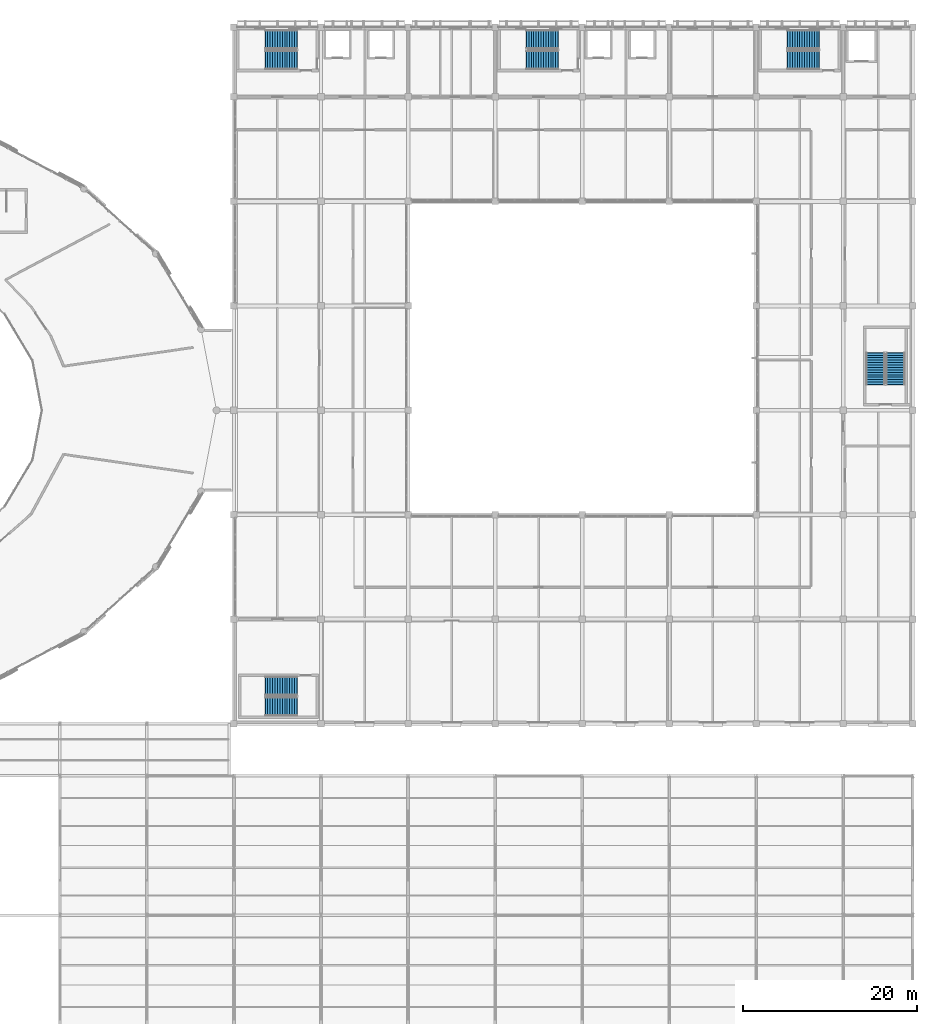
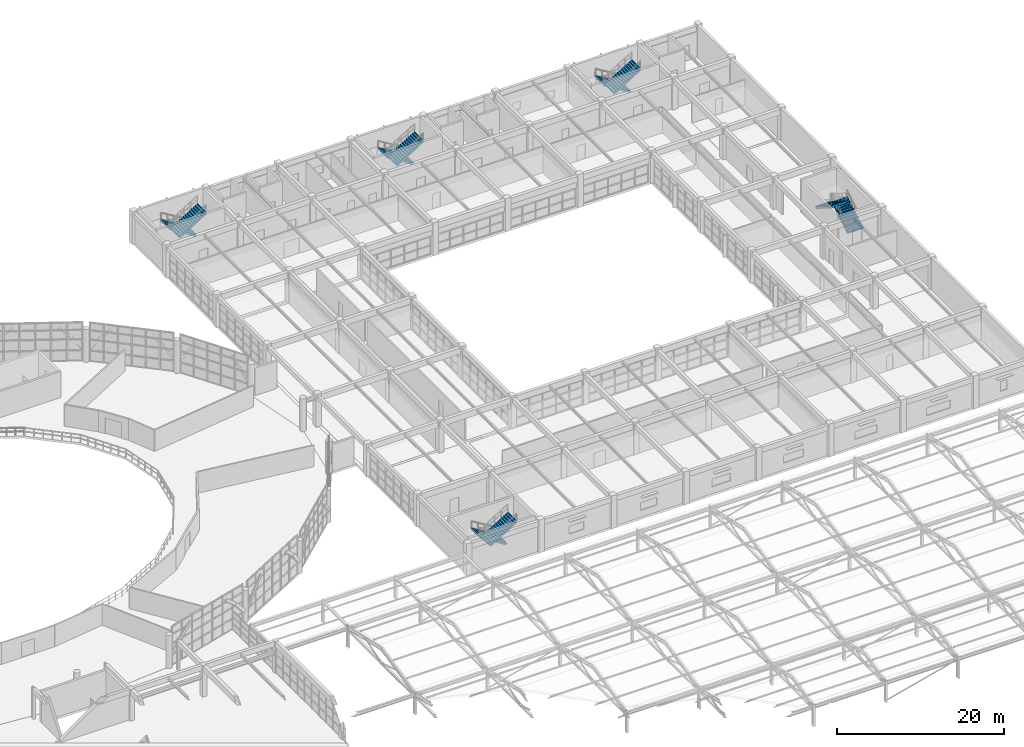
# One storey, part 98 of 109: 10 stair flights, 5 elements without a shape of their own.
"""IFC4 building model written with IfcOpenShell, lengths in metres."""

from ifc_helpers import new_model, si_unit, direction, frame, origin, place, context, subcontext, project, spatial, polyline, outline, extrude, material, type_object, element, aggregate, save


model = new_model("IFC4")

# Units and contexts
model_context = context("Model", 3, precision=1e-05, world=origin(), true_north=direction((0.0, 1.0)))
body_context = subcontext(model_context, "Body", "Model", "MODEL_VIEW")
ifc_project = project(units=[si_unit("LENGTHUNIT", "METRE"), si_unit("AREAUNIT", "SQUARE_METRE"), si_unit("VOLUMEUNIT", "CUBIC_METRE"), si_unit("PLANEANGLEUNIT", "RADIAN"), si_unit("MASSUNIT", "GRAM", prefix="KILO")], contexts=[model_context])

# Site, building, storey
site_placement = place(None, origin())
site = spatial("IfcSite", under=ifc_project, at=site_placement, CompositionType="ELEMENT")
building_placement = place(site_placement, origin())
building = spatial("IfcBuilding", under=site, at=building_placement, Name="Kivolera Central Railway Station", CompositionType="ELEMENT")
storey_placement = place(building_placement, frame((0.0, 0.0, 9.60009765625)))
storey = spatial("IfcBuildingStorey", under=building, at=storey_placement, Name="L02", CompositionType="ELEMENT", Elevation=9.60009765625)

# Stair, stair flights
ifc_material = material(Name="Concrete C40/50", Category="concrete")
stair_type = type_object("IfcStairType", Name="STR-2160-28", PredefinedType="HALF_TURN_STAIR", material=ifc_material)
stair_1_placement = place(storey_placement, origin())
stair_1 = element("IfcStair", 1, at=stair_1_placement, inside=storey, type_object=stair_type, Name="L02 Protected Exit Stair ST1", PredefinedType="HALF_TURN_STAIR")
stair_flight_type = type_object("IfcStairFlightType", Name="SFL-2160-28", PredefinedType="STRAIGHT", material=ifc_material)
stair_flight_1_placement = place(storey_placement, frame((125.239990234375, 132.60009765625, 0.0), z_axis=(0.0, 0.0, 1.0), x_axis=(-1.0, 0.0, 0.0)))
stair_flight_1 = element("IfcStairFlight", 2, at=stair_flight_1_placement, type_object=stair_flight_type, Name="ST1 flight 1", NumberOfRisers=14, NumberOfTreads=13, PredefinedType="STRAIGHT", RiserHeight=0.171428571, TreadLength=0.28, context=body_context, shape_type="SweptSolid", body=[
    extrude(outline(polyline([(-0.0400390625, 0.0), (0.0, 0.0), (0.0, 0.17138671875), (0.280029296875, 0.17138671875), (0.280029296875, 0.3427734375), (0.56005859375, 0.3427734375), (0.56005859375, 0.514404296875), (0.840087890625, 0.514404296875), (0.840087890625, 0.685791015625), (1.1201171875, 0.685791015625), (1.1201171875, 0.857177734375), (1.39990234375, 0.857177734375), (1.39990234375, 1.028564453125), (1.679931640625, 1.028564453125), (1.679931640625, 1.199951171875), (1.9599609375, 1.199951171875), (1.9599609375, 1.371337890625), (2.239990234375, 1.371337890625), (2.239990234375, 1.54296875), (2.52001953125, 1.54296875), (2.52001953125, 1.71435546875), (2.800048828125, 1.71435546875), (2.800048828125, 1.8857421875), (3.080078125, 1.8857421875), (3.080078125, 2.05712890625), (3.360107421875, 2.05712890625), (3.360107421875, 2.228515625), (3.639892578125, 2.228515625), (3.639892578125, 2.39990234375), (3.679931640625, 2.39990234375), (3.679931640625, 2.365234375), (3.679931640625, 2.33056640625), (3.679931640625, 2.2958984375), (3.679931640625, 2.260986328125), (3.679931640625, 2.226318359375), (3.679931640625, 2.191650390625), (3.679931640625, 2.156982421875), (3.679931640625, 2.122314453125), (3.679931640625, 2.08740234375), (3.679931640625, 2.052734375), (0.287109375, -0.080078125), (-0.0400390625, -0.072021484375), (-0.0400390625, -0.06396484375), (-0.0400390625, -0.055908203125), (-0.0400390625, -0.048095703125), (-0.0400390625, -0.0400390625), (-0.0400390625, -0.031982421875), (-0.0400390625, -0.02392578125), (-0.0400390625, -0.01611328125), (-0.0400390625, -0.008056640625), (-0.0400390625, 0.0)])), frame((0.0, 1.080078125, 0.0), z_axis=(0.0, -1.0, 0.0), x_axis=(1.0, 0.0, 0.0)), (0.0, 0.0, 1.0), 2.159912109375),
])
stair_flight_2_placement = place(storey_placement, frame((121.60009765625, 130.260009765625, 2.39990234375), z_axis=(0.0, 0.0, 1.0), x_axis=(1.0, 0.0, 0.0)))
stair_flight_2 = element("IfcStairFlight", 3, at=stair_flight_2_placement, type_object=stair_flight_type, Name="ST1 flight 2", NumberOfRisers=14, NumberOfTreads=13, PredefinedType="STRAIGHT", RiserHeight=0.171428571, TreadLength=0.28, context=body_context, shape_type="SweptSolid", body=[
    extrude(outline(polyline([(-0.0400390625, 0.0), (0.0, 0.0), (0.0, 0.17138671875), (0.280029296875, 0.17138671875), (0.280029296875, 0.3427734375), (0.56005859375, 0.3427734375), (0.56005859375, 0.514404296875), (0.840087890625, 0.514404296875), (0.840087890625, 0.685791015625), (1.1201171875, 0.685791015625), (1.1201171875, 0.857177734375), (1.39990234375, 0.857177734375), (1.39990234375, 1.028564453125), (1.679931640625, 1.028564453125), (1.679931640625, 1.199951171875), (1.9599609375, 1.199951171875), (1.9599609375, 1.371337890625), (2.239990234375, 1.371337890625), (2.239990234375, 1.54296875), (2.52001953125, 1.54296875), (2.52001953125, 1.71435546875), (2.800048828125, 1.71435546875), (2.800048828125, 1.8857421875), (3.080078125, 1.8857421875), (3.080078125, 2.05712890625), (3.360107421875, 2.05712890625), (3.360107421875, 2.228515625), (3.639892578125, 2.228515625), (3.639892578125, 2.39990234375), (3.679931640625, 2.39990234375), (3.679931640625, 2.365234375), (3.679931640625, 2.33056640625), (3.679931640625, 2.2958984375), (3.679931640625, 2.260986328125), (3.679931640625, 2.226318359375), (3.679931640625, 2.191650390625), (3.679931640625, 2.156982421875), (3.679931640625, 2.122314453125), (3.679931640625, 2.08740234375), (3.679931640625, 2.052734375), (0.287109375, -0.080078125), (-0.0400390625, -0.072021484375), (-0.0400390625, -0.06396484375), (-0.0400390625, -0.055908203125), (-0.0400390625, -0.048095703125), (-0.0400390625, -0.0400390625), (-0.0400390625, -0.031982421875), (-0.0400390625, -0.02392578125), (-0.0400390625, -0.01611328125), (-0.0400390625, -0.008056640625), (-0.0400390625, 0.0)])), frame((0.0, 1.080078125, 0.0), z_axis=(0.0, -1.0, 0.0), x_axis=(1.0, 0.0, 0.0)), (0.0, 0.0, 1.0), 2.159912109375),
])
aggregate(stair_1, [stair_flight_1, stair_flight_2])

stair_2_placement = place(storey_placement, origin())
stair_2 = element("IfcStair", 4, at=stair_2_placement, inside=storey, type_object=stair_type, Name="L02 Protected Exit Stair ST2", PredefinedType="HALF_TURN_STAIR")
stair_flight_3_placement = place(storey_placement, frame((155.239990234375, 132.60009765625, 0.0), z_axis=(0.0, 0.0, 1.0), x_axis=(-1.0, 0.0, 0.0)))
stair_flight_3 = element("IfcStairFlight", 5, at=stair_flight_3_placement, type_object=stair_flight_type, Name="ST2 flight 1", NumberOfRisers=14, NumberOfTreads=13, PredefinedType="STRAIGHT", RiserHeight=0.171428571, TreadLength=0.28, context=body_context, shape_type="SweptSolid", body=[
    extrude(outline(polyline([(-0.0400390625, 0.0), (0.0, 0.0), (0.0, 0.17138671875), (0.280029296875, 0.17138671875), (0.280029296875, 0.3427734375), (0.56005859375, 0.3427734375), (0.56005859375, 0.514404296875), (0.840087890625, 0.514404296875), (0.840087890625, 0.685791015625), (1.1201171875, 0.685791015625), (1.1201171875, 0.857177734375), (1.39990234375, 0.857177734375), (1.39990234375, 1.028564453125), (1.679931640625, 1.028564453125), (1.679931640625, 1.199951171875), (1.9599609375, 1.199951171875), (1.9599609375, 1.371337890625), (2.239990234375, 1.371337890625), (2.239990234375, 1.54296875), (2.52001953125, 1.54296875), (2.52001953125, 1.71435546875), (2.800048828125, 1.71435546875), (2.800048828125, 1.8857421875), (3.080078125, 1.8857421875), (3.080078125, 2.05712890625), (3.360107421875, 2.05712890625), (3.360107421875, 2.228515625), (3.639892578125, 2.228515625), (3.639892578125, 2.39990234375), (3.679931640625, 2.39990234375), (3.679931640625, 2.365234375), (3.679931640625, 2.33056640625), (3.679931640625, 2.2958984375), (3.679931640625, 2.260986328125), (3.679931640625, 2.226318359375), (3.679931640625, 2.191650390625), (3.679931640625, 2.156982421875), (3.679931640625, 2.122314453125), (3.679931640625, 2.08740234375), (3.679931640625, 2.052734375), (0.287109375, -0.080078125), (-0.0400390625, -0.072021484375), (-0.0400390625, -0.06396484375), (-0.0400390625, -0.055908203125), (-0.0400390625, -0.048095703125), (-0.0400390625, -0.0400390625), (-0.0400390625, -0.031982421875), (-0.0400390625, -0.02392578125), (-0.0400390625, -0.01611328125), (-0.0400390625, -0.008056640625), (-0.0400390625, 0.0)])), frame((0.0, 1.080078125, 0.0), z_axis=(0.0, -1.0, 0.0), x_axis=(1.0, 0.0, 0.0)), (0.0, 0.0, 1.0), 2.159912109375),
])
stair_flight_4_placement = place(storey_placement, frame((151.60009765625, 130.260009765625, 2.39990234375), z_axis=(0.0, 0.0, 1.0), x_axis=(1.0, 0.0, 0.0)))
stair_flight_4 = element("IfcStairFlight", 6, at=stair_flight_4_placement, type_object=stair_flight_type, Name="ST2 flight 2", NumberOfRisers=14, NumberOfTreads=13, PredefinedType="STRAIGHT", RiserHeight=0.171428571, TreadLength=0.28, context=body_context, shape_type="SweptSolid", body=[
    extrude(outline(polyline([(-0.0400390625, 0.0), (0.0, 0.0), (0.0, 0.17138671875), (0.280029296875, 0.17138671875), (0.280029296875, 0.3427734375), (0.56005859375, 0.3427734375), (0.56005859375, 0.514404296875), (0.840087890625, 0.514404296875), (0.840087890625, 0.685791015625), (1.1201171875, 0.685791015625), (1.1201171875, 0.857177734375), (1.39990234375, 0.857177734375), (1.39990234375, 1.028564453125), (1.679931640625, 1.028564453125), (1.679931640625, 1.199951171875), (1.9599609375, 1.199951171875), (1.9599609375, 1.371337890625), (2.239990234375, 1.371337890625), (2.239990234375, 1.54296875), (2.52001953125, 1.54296875), (2.52001953125, 1.71435546875), (2.800048828125, 1.71435546875), (2.800048828125, 1.8857421875), (3.080078125, 1.8857421875), (3.080078125, 2.05712890625), (3.360107421875, 2.05712890625), (3.360107421875, 2.228515625), (3.639892578125, 2.228515625), (3.639892578125, 2.39990234375), (3.679931640625, 2.39990234375), (3.679931640625, 2.365234375), (3.679931640625, 2.33056640625), (3.679931640625, 2.2958984375), (3.679931640625, 2.260986328125), (3.679931640625, 2.226318359375), (3.679931640625, 2.191650390625), (3.679931640625, 2.156982421875), (3.679931640625, 2.122314453125), (3.679931640625, 2.08740234375), (3.679931640625, 2.052734375), (0.287109375, -0.080078125), (-0.0400390625, -0.072021484375), (-0.0400390625, -0.06396484375), (-0.0400390625, -0.055908203125), (-0.0400390625, -0.048095703125), (-0.0400390625, -0.0400390625), (-0.0400390625, -0.031982421875), (-0.0400390625, -0.02392578125), (-0.0400390625, -0.01611328125), (-0.0400390625, -0.008056640625), (-0.0400390625, 0.0)])), frame((0.0, 1.080078125, 0.0), z_axis=(0.0, -1.0, 0.0), x_axis=(1.0, 0.0, 0.0)), (0.0, 0.0, 1.0), 2.159912109375),
])
aggregate(stair_2, [stair_flight_3, stair_flight_4])

stair_3_placement = place(storey_placement, origin())
stair_3 = element("IfcStair", 7, at=stair_3_placement, inside=storey, type_object=stair_type, Name="L02 Protected Exit Stair ST3", PredefinedType="HALF_TURN_STAIR")
stair_flight_5_placement = place(storey_placement, frame((185.239990234375, 132.60009765625, 0.0), z_axis=(0.0, 0.0, 1.0), x_axis=(-1.0, 0.0, 0.0)))
stair_flight_5 = element("IfcStairFlight", 8, at=stair_flight_5_placement, type_object=stair_flight_type, Name="ST3 flight 1", NumberOfRisers=14, NumberOfTreads=13, PredefinedType="STRAIGHT", RiserHeight=0.171428571, TreadLength=0.28, context=body_context, shape_type="SweptSolid", body=[
    extrude(outline(polyline([(-0.0400390625, 0.0), (0.0, 0.0), (0.0, 0.17138671875), (0.280029296875, 0.17138671875), (0.280029296875, 0.3427734375), (0.56005859375, 0.3427734375), (0.56005859375, 0.514404296875), (0.840087890625, 0.514404296875), (0.840087890625, 0.685791015625), (1.1201171875, 0.685791015625), (1.1201171875, 0.857177734375), (1.39990234375, 0.857177734375), (1.39990234375, 1.028564453125), (1.679931640625, 1.028564453125), (1.679931640625, 1.199951171875), (1.9599609375, 1.199951171875), (1.9599609375, 1.371337890625), (2.239990234375, 1.371337890625), (2.239990234375, 1.54296875), (2.52001953125, 1.54296875), (2.52001953125, 1.71435546875), (2.800048828125, 1.71435546875), (2.800048828125, 1.8857421875), (3.080078125, 1.8857421875), (3.080078125, 2.05712890625), (3.360107421875, 2.05712890625), (3.360107421875, 2.228515625), (3.639892578125, 2.228515625), (3.639892578125, 2.39990234375), (3.679931640625, 2.39990234375), (3.679931640625, 2.365234375), (3.679931640625, 2.33056640625), (3.679931640625, 2.2958984375), (3.679931640625, 2.260986328125), (3.679931640625, 2.226318359375), (3.679931640625, 2.191650390625), (3.679931640625, 2.156982421875), (3.679931640625, 2.122314453125), (3.679931640625, 2.08740234375), (3.679931640625, 2.052734375), (0.287109375, -0.080078125), (-0.0400390625, -0.072021484375), (-0.0400390625, -0.06396484375), (-0.0400390625, -0.055908203125), (-0.0400390625, -0.048095703125), (-0.0400390625, -0.0400390625), (-0.0400390625, -0.031982421875), (-0.0400390625, -0.02392578125), (-0.0400390625, -0.01611328125), (-0.0400390625, -0.008056640625), (-0.0400390625, 0.0)])), frame((0.0, 1.080078125, 0.0), z_axis=(0.0, -1.0, 0.0), x_axis=(1.0, 0.0, 0.0)), (0.0, 0.0, 1.0), 2.159912109375),
])
stair_flight_6_placement = place(storey_placement, frame((181.60009765625, 130.260009765625, 2.39990234375), z_axis=(0.0, 0.0, 1.0), x_axis=(1.0, 0.0, 0.0)))
stair_flight_6 = element("IfcStairFlight", 9, at=stair_flight_6_placement, type_object=stair_flight_type, Name="ST3 flight 2", NumberOfRisers=14, NumberOfTreads=13, PredefinedType="STRAIGHT", RiserHeight=0.171428571, TreadLength=0.28, context=body_context, shape_type="SweptSolid", body=[
    extrude(outline(polyline([(-0.0400390625, 0.0), (0.0, 0.0), (0.0, 0.17138671875), (0.280029296875, 0.17138671875), (0.280029296875, 0.3427734375), (0.56005859375, 0.3427734375), (0.56005859375, 0.514404296875), (0.840087890625, 0.514404296875), (0.840087890625, 0.685791015625), (1.1201171875, 0.685791015625), (1.1201171875, 0.857177734375), (1.39990234375, 0.857177734375), (1.39990234375, 1.028564453125), (1.679931640625, 1.028564453125), (1.679931640625, 1.199951171875), (1.9599609375, 1.199951171875), (1.9599609375, 1.371337890625), (2.239990234375, 1.371337890625), (2.239990234375, 1.54296875), (2.52001953125, 1.54296875), (2.52001953125, 1.71435546875), (2.800048828125, 1.71435546875), (2.800048828125, 1.8857421875), (3.080078125, 1.8857421875), (3.080078125, 2.05712890625), (3.360107421875, 2.05712890625), (3.360107421875, 2.228515625), (3.639892578125, 2.228515625), (3.639892578125, 2.39990234375), (3.679931640625, 2.39990234375), (3.679931640625, 2.365234375), (3.679931640625, 2.33056640625), (3.679931640625, 2.2958984375), (3.679931640625, 2.260986328125), (3.679931640625, 2.226318359375), (3.679931640625, 2.191650390625), (3.679931640625, 2.156982421875), (3.679931640625, 2.122314453125), (3.679931640625, 2.08740234375), (3.679931640625, 2.052734375), (0.287109375, -0.080078125), (-0.0400390625, -0.072021484375), (-0.0400390625, -0.06396484375), (-0.0400390625, -0.055908203125), (-0.0400390625, -0.048095703125), (-0.0400390625, -0.0400390625), (-0.0400390625, -0.031982421875), (-0.0400390625, -0.02392578125), (-0.0400390625, -0.01611328125), (-0.0400390625, -0.008056640625), (-0.0400390625, 0.0)])), frame((0.0, 1.080078125, 0.0), z_axis=(0.0, -1.0, 0.0), x_axis=(1.0, 0.0, 0.0)), (0.0, 0.0, 1.0), 2.159912109375),
])
aggregate(stair_3, [stair_flight_5, stair_flight_6])

stair_4_placement = place(storey_placement, origin())
stair_4 = element("IfcStair", 10, at=stair_4_placement, inside=storey, type_object=stair_type, Name="L02 Protected Exit Stair ST4", PredefinedType="HALF_TURN_STAIR")
stair_flight_7_placement = place(storey_placement, frame((125.239990234375, 58.320068359375, 0.0), z_axis=(0.0, 0.0, 1.0), x_axis=(-1.0, 0.0, 0.0)))
stair_flight_7 = element("IfcStairFlight", 11, at=stair_flight_7_placement, type_object=stair_flight_type, Name="ST4 flight 1", NumberOfRisers=14, NumberOfTreads=13, PredefinedType="STRAIGHT", RiserHeight=0.171428571, TreadLength=0.28, context=body_context, shape_type="SweptSolid", body=[
    extrude(outline(polyline([(-0.0400390625, 0.0), (0.0, 0.0), (0.0, 0.17138671875), (0.280029296875, 0.17138671875), (0.280029296875, 0.3427734375), (0.56005859375, 0.3427734375), (0.56005859375, 0.514404296875), (0.840087890625, 0.514404296875), (0.840087890625, 0.685791015625), (1.1201171875, 0.685791015625), (1.1201171875, 0.857177734375), (1.39990234375, 0.857177734375), (1.39990234375, 1.028564453125), (1.679931640625, 1.028564453125), (1.679931640625, 1.199951171875), (1.9599609375, 1.199951171875), (1.9599609375, 1.371337890625), (2.239990234375, 1.371337890625), (2.239990234375, 1.54296875), (2.52001953125, 1.54296875), (2.52001953125, 1.71435546875), (2.800048828125, 1.71435546875), (2.800048828125, 1.8857421875), (3.080078125, 1.8857421875), (3.080078125, 2.05712890625), (3.360107421875, 2.05712890625), (3.360107421875, 2.228515625), (3.639892578125, 2.228515625), (3.639892578125, 2.39990234375), (3.679931640625, 2.39990234375), (3.679931640625, 2.365234375), (3.679931640625, 2.33056640625), (3.679931640625, 2.2958984375), (3.679931640625, 2.260986328125), (3.679931640625, 2.226318359375), (3.679931640625, 2.191650390625), (3.679931640625, 2.156982421875), (3.679931640625, 2.122314453125), (3.679931640625, 2.08740234375), (3.679931640625, 2.052734375), (0.287109375, -0.080078125), (-0.0400390625, -0.072021484375), (-0.0400390625, -0.06396484375), (-0.0400390625, -0.055908203125), (-0.0400390625, -0.048095703125), (-0.0400390625, -0.0400390625), (-0.0400390625, -0.031982421875), (-0.0400390625, -0.02392578125), (-0.0400390625, -0.01611328125), (-0.0400390625, -0.008056640625), (-0.0400390625, 0.0)])), frame((0.0, 1.080078125, 0.0), z_axis=(0.0, -1.0, 0.0), x_axis=(1.0, 0.0, 0.0)), (0.0, 0.0, 1.0), 2.159912109375),
])
stair_flight_8_placement = place(storey_placement, frame((121.60009765625, 55.97998046875, 2.39990234375), z_axis=(0.0, 0.0, 1.0), x_axis=(1.0, 0.0, 0.0)))
stair_flight_8 = element("IfcStairFlight", 12, at=stair_flight_8_placement, type_object=stair_flight_type, Name="ST4 flight 2", NumberOfRisers=14, NumberOfTreads=13, PredefinedType="STRAIGHT", RiserHeight=0.171428571, TreadLength=0.28, context=body_context, shape_type="SweptSolid", body=[
    extrude(outline(polyline([(-0.0400390625, 0.0), (0.0, 0.0), (0.0, 0.17138671875), (0.280029296875, 0.17138671875), (0.280029296875, 0.3427734375), (0.56005859375, 0.3427734375), (0.56005859375, 0.514404296875), (0.840087890625, 0.514404296875), (0.840087890625, 0.685791015625), (1.1201171875, 0.685791015625), (1.1201171875, 0.857177734375), (1.39990234375, 0.857177734375), (1.39990234375, 1.028564453125), (1.679931640625, 1.028564453125), (1.679931640625, 1.199951171875), (1.9599609375, 1.199951171875), (1.9599609375, 1.371337890625), (2.239990234375, 1.371337890625), (2.239990234375, 1.54296875), (2.52001953125, 1.54296875), (2.52001953125, 1.71435546875), (2.800048828125, 1.71435546875), (2.800048828125, 1.8857421875), (3.080078125, 1.8857421875), (3.080078125, 2.05712890625), (3.360107421875, 2.05712890625), (3.360107421875, 2.228515625), (3.639892578125, 2.228515625), (3.639892578125, 2.39990234375), (3.679931640625, 2.39990234375), (3.679931640625, 2.365234375), (3.679931640625, 2.33056640625), (3.679931640625, 2.2958984375), (3.679931640625, 2.260986328125), (3.679931640625, 2.226318359375), (3.679931640625, 2.191650390625), (3.679931640625, 2.156982421875), (3.679931640625, 2.122314453125), (3.679931640625, 2.08740234375), (3.679931640625, 2.052734375), (0.287109375, -0.080078125), (-0.0400390625, -0.072021484375), (-0.0400390625, -0.06396484375), (-0.0400390625, -0.055908203125), (-0.0400390625, -0.048095703125), (-0.0400390625, -0.0400390625), (-0.0400390625, -0.031982421875), (-0.0400390625, -0.02392578125), (-0.0400390625, -0.01611328125), (-0.0400390625, -0.008056640625), (-0.0400390625, 0.0)])), frame((0.0, 1.080078125, 0.0), z_axis=(0.0, -1.0, 0.0), x_axis=(1.0, 0.0, 0.0)), (0.0, 0.0, 1.0), 2.159912109375),
])
aggregate(stair_4, [stair_flight_7, stair_flight_8])

stair_5_placement = place(storey_placement, origin())
stair_5 = element("IfcStair", 13, at=stair_5_placement, inside=storey, type_object=stair_type, Name="L02 Protected Exit Stair ST11", PredefinedType="HALF_TURN_STAIR")
stair_flight_9_placement = place(storey_placement, frame((194.02001953125, 92.9599609375, 0.0), z_axis=(0.0, 0.0, 1.0), x_axis=(0.0, 1.0, 0.0)))
stair_flight_9 = element("IfcStairFlight", 14, at=stair_flight_9_placement, type_object=stair_flight_type, Name="ST11 flight 1", NumberOfRisers=14, NumberOfTreads=13, PredefinedType="STRAIGHT", RiserHeight=0.171428571, TreadLength=0.28, context=body_context, shape_type="SweptSolid", body=[
    extrude(outline(polyline([(-0.0400390625, 0.0), (0.0, 0.0), (0.0, 0.17138671875), (0.280029296875, 0.17138671875), (0.280029296875, 0.3427734375), (0.56005859375, 0.3427734375), (0.56005859375, 0.514404296875), (0.840087890625, 0.514404296875), (0.840087890625, 0.685791015625), (1.1201171875, 0.685791015625), (1.1201171875, 0.857177734375), (1.39990234375, 0.857177734375), (1.39990234375, 1.028564453125), (1.679931640625, 1.028564453125), (1.679931640625, 1.199951171875), (1.9599609375, 1.199951171875), (1.9599609375, 1.371337890625), (2.239990234375, 1.371337890625), (2.239990234375, 1.54296875), (2.52001953125, 1.54296875), (2.52001953125, 1.71435546875), (2.800048828125, 1.71435546875), (2.800048828125, 1.8857421875), (3.080078125, 1.8857421875), (3.080078125, 2.05712890625), (3.360107421875, 2.05712890625), (3.360107421875, 2.228515625), (3.639892578125, 2.228515625), (3.639892578125, 2.39990234375), (3.679931640625, 2.39990234375), (3.679931640625, 2.365234375), (3.679931640625, 2.33056640625), (3.679931640625, 2.2958984375), (3.679931640625, 2.260986328125), (3.679931640625, 2.226318359375), (3.679931640625, 2.191650390625), (3.679931640625, 2.156982421875), (3.679931640625, 2.122314453125), (3.679931640625, 2.08740234375), (3.679931640625, 2.052734375), (0.287109375, -0.080078125), (-0.0400390625, -0.072021484375), (-0.0400390625, -0.06396484375), (-0.0400390625, -0.055908203125), (-0.0400390625, -0.048095703125), (-0.0400390625, -0.0400390625), (-0.0400390625, -0.031982421875), (-0.0400390625, -0.02392578125), (-0.0400390625, -0.01611328125), (-0.0400390625, -0.008056640625), (-0.0400390625, 0.0)])), frame((0.0, 1.080078125, 0.0), z_axis=(0.0, -1.0, 0.0), x_axis=(1.0, 0.0, 0.0)), (0.0, 0.0, 1.0), 2.159912109375),
])
stair_flight_10_placement = place(storey_placement, frame((191.679931640625, 96.60009765625, 2.39990234375), z_axis=(0.0, 0.0, 1.0), x_axis=(0.0, -1.0, 0.0)))
stair_flight_10 = element("IfcStairFlight", 15, at=stair_flight_10_placement, type_object=stair_flight_type, Name="ST11 flight 2", NumberOfRisers=14, NumberOfTreads=13, PredefinedType="STRAIGHT", RiserHeight=0.171428571, TreadLength=0.28, context=body_context, shape_type="SweptSolid", body=[
    extrude(outline(polyline([(-0.0400390625, 0.0), (0.0, 0.0), (0.0, 0.17138671875), (0.280029296875, 0.17138671875), (0.280029296875, 0.3427734375), (0.56005859375, 0.3427734375), (0.56005859375, 0.514404296875), (0.840087890625, 0.514404296875), (0.840087890625, 0.685791015625), (1.1201171875, 0.685791015625), (1.1201171875, 0.857177734375), (1.39990234375, 0.857177734375), (1.39990234375, 1.028564453125), (1.679931640625, 1.028564453125), (1.679931640625, 1.199951171875), (1.9599609375, 1.199951171875), (1.9599609375, 1.371337890625), (2.239990234375, 1.371337890625), (2.239990234375, 1.54296875), (2.52001953125, 1.54296875), (2.52001953125, 1.71435546875), (2.800048828125, 1.71435546875), (2.800048828125, 1.8857421875), (3.080078125, 1.8857421875), (3.080078125, 2.05712890625), (3.360107421875, 2.05712890625), (3.360107421875, 2.228515625), (3.639892578125, 2.228515625), (3.639892578125, 2.39990234375), (3.679931640625, 2.39990234375), (3.679931640625, 2.365234375), (3.679931640625, 2.33056640625), (3.679931640625, 2.2958984375), (3.679931640625, 2.260986328125), (3.679931640625, 2.226318359375), (3.679931640625, 2.191650390625), (3.679931640625, 2.156982421875), (3.679931640625, 2.122314453125), (3.679931640625, 2.08740234375), (3.679931640625, 2.052734375), (0.287109375, -0.080078125), (-0.0400390625, -0.072021484375), (-0.0400390625, -0.06396484375), (-0.0400390625, -0.055908203125), (-0.0400390625, -0.048095703125), (-0.0400390625, -0.0400390625), (-0.0400390625, -0.031982421875), (-0.0400390625, -0.02392578125), (-0.0400390625, -0.01611328125), (-0.0400390625, -0.008056640625), (-0.0400390625, 0.0)])), frame((0.0, 1.080078125, 0.0), z_axis=(0.0, -1.0, 0.0), x_axis=(1.0, 0.0, 0.0)), (0.0, 0.0, 1.0), 2.159912109375),
])
aggregate(stair_5, [stair_flight_9, stair_flight_10])

save(model, "model.ifc")
